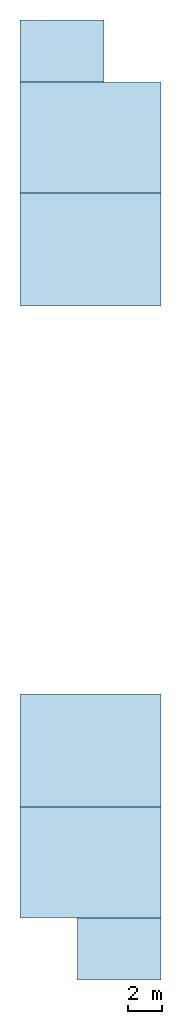
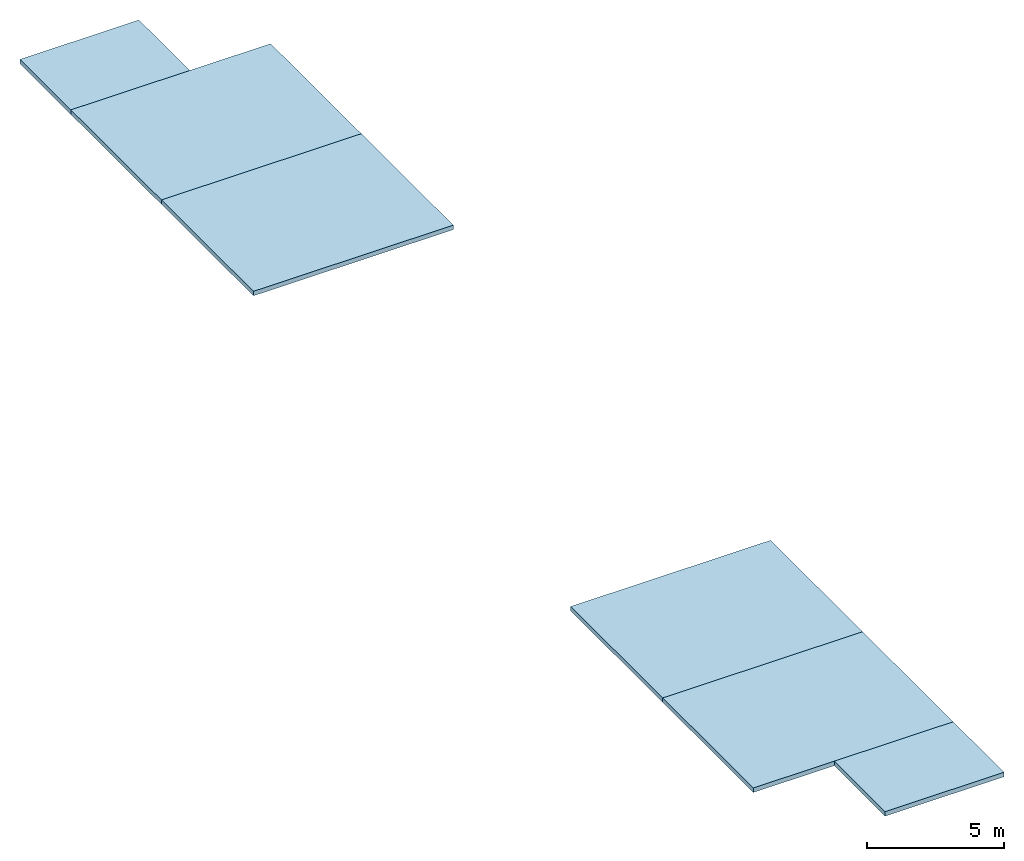
# One storey: 6 slabs.
"""IFC4 building model written with IfcOpenShell, lengths in metres."""

from ifc_helpers import new_model, si_unit, direction, frame, origin, place, context, subcontext, project, spatial, polyline, outline, extrude, material, layer, layer_set, type_object, element, save


model = new_model("IFC4")

# Units and contexts
model_context = context("Model", 3, precision=1e-05, world=origin(), true_north=direction((0.0, 1.0)))
body_context = subcontext(model_context, "Body", "Model", "MODEL_VIEW")
ifc_project = project(units=[si_unit("LENGTHUNIT", "METRE"), si_unit("AREAUNIT", "SQUARE_METRE"), si_unit("VOLUMEUNIT", "CUBIC_METRE"), si_unit("PLANEANGLEUNIT", "RADIAN"), si_unit("MASSUNIT", "GRAM", prefix="KILO")], contexts=[model_context])

# Site, building, storey
site_placement = place(None, origin())
site = spatial("IfcSite", under=ifc_project, at=site_placement, CompositionType="ELEMENT")
building_placement = place(site_placement, origin())
building = spatial("IfcBuilding", under=site, at=building_placement, Name="Zarbagh Exchange Tower", CompositionType="ELEMENT")
storey_placement = place(building_placement, frame((0.0, 0.0, 322.800048828125)))
storey = spatial("IfcBuildingStorey", under=building, at=storey_placement, Name="Upper roof", CompositionType="ELEMENT", Elevation=322.800048828125)

# Slabs
ifc_material = material(Name="Concrete C40/50", Category="concrete")
ifc_layer_1 = layer(ifc_material, 0.199951171875)
ifc_layer_set_1 = layer_set([ifc_layer_1], Name="Lift overrun roof slab 200 mm")
slab_type_1 = type_object("IfcSlabType", Name="Lift overrun roof slab 200 mm", PredefinedType="ROOF", material=ifc_layer_set_1)
slab_1_placement = place(storey_placement, origin())
element("IfcSlab", 1, at=slab_1_placement, inside=storey, type_object=slab_type_1, Name="North core roof lift lobby roof", PredefinedType="ROOF", context=body_context, shape_type="SweptSolid", body=[
    extrude(outline(polyline([(-4.199951171875, 24.85009765625), (0.800048828125, 24.85009765625), (0.800048828125, 28.550048828125), (-4.199951171875, 28.550048828125), (-4.199951171875, 24.85009765625)])), origin(), (0.0, 0.0, 1.0), 0.199951171875),
])
slab_2_placement = place(storey_placement, origin())
element("IfcSlab", 2, at=slab_2_placement, inside=storey, type_object=slab_type_1, Name="North core roof corridor roof", PredefinedType="ROOF", context=body_context, shape_type="SweptSolid", body=[
    extrude(outline(polyline([(-4.199951171875, 18.25), (4.199951171875, 18.25), (4.199951171875, 24.85009765625), (-4.199951171875, 24.85009765625), (-4.199951171875, 18.25)])), origin(), (0.0, 0.0, 1.0), 0.199951171875),
])
slab_3_placement = place(storey_placement, origin())
element("IfcSlab", 3, at=slab_3_placement, inside=storey, type_object=slab_type_1, Name="South core roof lift lobby roof", PredefinedType="ROOF", context=body_context, shape_type="SweptSolid", body=[
    extrude(outline(polyline([(-0.800048828125, -28.550048828125), (4.199951171875, -28.550048828125), (4.199951171875, -24.85009765625), (-0.800048828125, -24.85009765625), (-0.800048828125, -28.550048828125)])), origin(), (0.0, 0.0, 1.0), 0.199951171875),
])
slab_4_placement = place(storey_placement, origin())
element("IfcSlab", 4, at=slab_4_placement, inside=storey, type_object=slab_type_1, Name="South core roof corridor roof", PredefinedType="ROOF", context=body_context, shape_type="SweptSolid", body=[
    extrude(outline(polyline([(-4.199951171875, -24.85009765625), (4.199951171875, -24.85009765625), (4.199951171875, -18.25), (-4.199951171875, -18.25), (-4.199951171875, -24.85009765625)])), origin(), (0.0, 0.0, 1.0), 0.199951171875),
])
ifc_layer_2 = layer(ifc_material, 0.199951171875)
ifc_layer_set_2 = layer_set([ifc_layer_2], Name="Stair head-house roof slab 200 mm")
slab_type_2 = type_object("IfcSlabType", Name="Stair head-house roof slab 200 mm", PredefinedType="ROOF", material=ifc_layer_set_2)
slab_5_placement = place(storey_placement, origin())
element("IfcSlab", 5, at=slab_5_placement, inside=storey, type_object=slab_type_2, Name="North core stair head-house roof", PredefinedType="ROOF", context=body_context, shape_type="SweptSolid", body=[
    extrude(outline(polyline([(-4.199951171875, 11.550048828125), (4.199951171875, 11.550048828125), (4.199951171875, 18.25), (-4.199951171875, 18.25), (-4.199951171875, 11.550048828125)])), origin(), (0.0, 0.0, 1.0), 0.199951171875),
])
slab_6_placement = place(storey_placement, origin())
element("IfcSlab", 6, at=slab_6_placement, inside=storey, type_object=slab_type_2, Name="South core stair head-house roof", PredefinedType="ROOF", context=body_context, shape_type="SweptSolid", body=[
    extrude(outline(polyline([(-4.199951171875, -18.25), (4.199951171875, -18.25), (4.199951171875, -11.550048828125), (-4.199951171875, -11.550048828125), (-4.199951171875, -18.25)])), origin(), (0.0, 0.0, 1.0), 0.199951171875),
])

save(model, "model.ifc")
